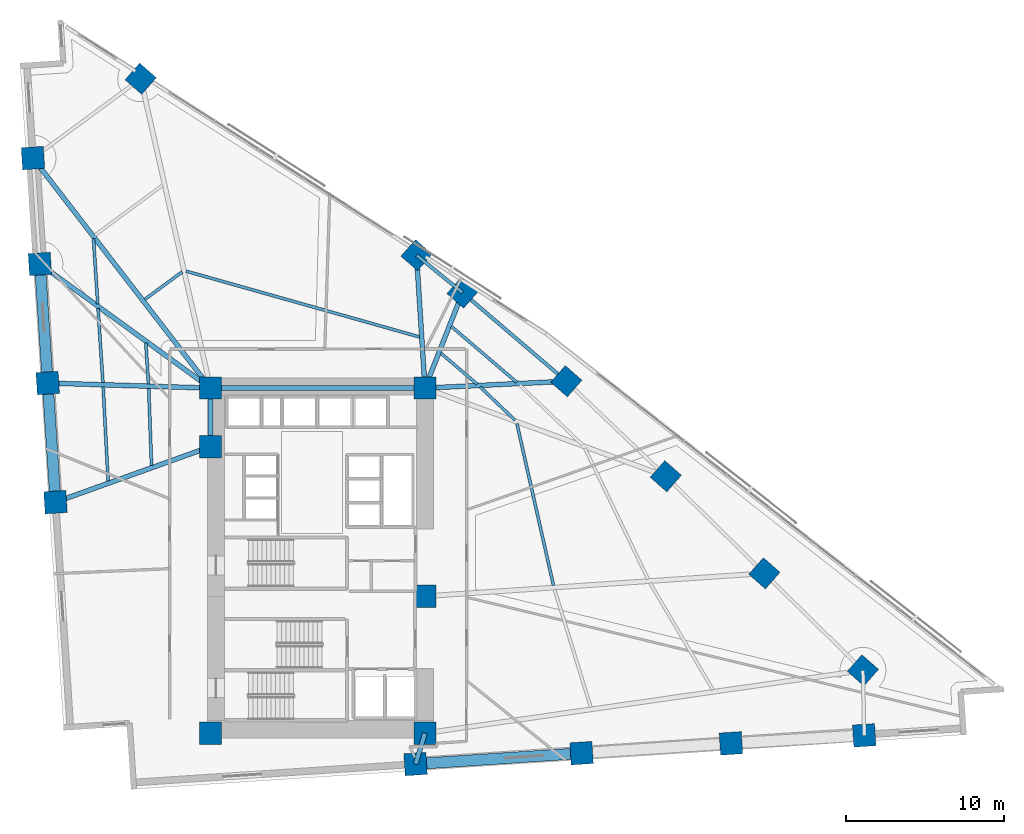
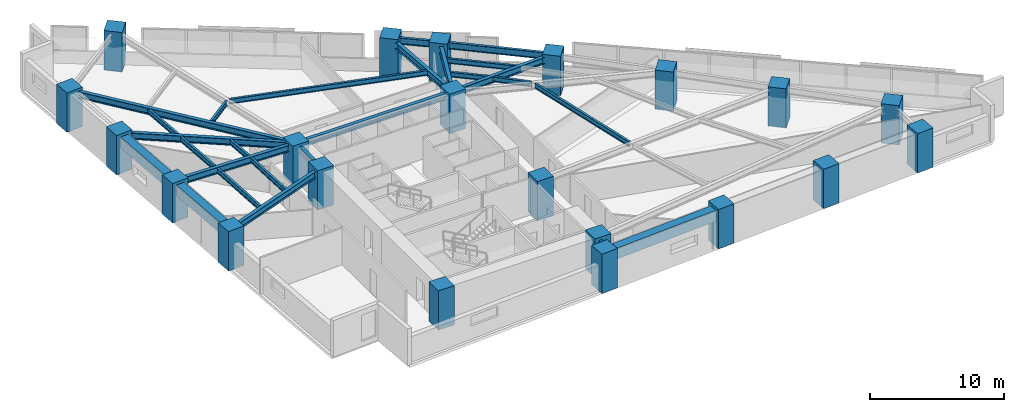
# One storey, part 1 of 16: 26 beams, 21 columns.
"""IFC4 building model written with IfcOpenShell, lengths in metres."""

from ifc_helpers import new_model, si_unit, direction, frame, origin, origin_2d, place, context, subcontext, project, spatial, rectangle, i_section, extrude, material, material_profile, profile_set, type_object, element, save


model = new_model("IFC4")

# Units and contexts
model_context = context("Model", 3, precision=1e-05, world=origin(), true_north=direction((0.0, 1.0)))
body_context = subcontext(model_context, "Body", "Model", "MODEL_VIEW")
ifc_project = project(units=[si_unit("LENGTHUNIT", "METRE"), si_unit("AREAUNIT", "SQUARE_METRE"), si_unit("VOLUMEUNIT", "CUBIC_METRE"), si_unit("PLANEANGLEUNIT", "RADIAN"), si_unit("MASSUNIT", "GRAM", prefix="KILO")], contexts=[model_context])

# Site, building, storey
site_placement = place(None, origin())
site = spatial("IfcSite", under=ifc_project, at=site_placement, CompositionType="ELEMENT")
building_placement = place(site_placement, origin())
building = spatial("IfcBuilding", under=site, at=building_placement, Name="Narakoshi Arena Tower", CompositionType="ELEMENT")
storey_placement = place(building_placement, frame((0.0, 0.0, 84.89990234375)))
storey = spatial("IfcBuildingStorey", under=building, at=storey_placement, Name="L22", CompositionType="ELEMENT", Elevation=84.89990234375)

# Columns
ifc_material_1 = material(Name="Concrete C60/75", Category="concrete")
ifc_material_profile_1 = material_profile(ifc_material_1, rectangle(XDim=1.39990234375, YDim=1.39990234375, at=origin_2d()), Name="RC1400x1400")
ifc_profile_set_1 = profile_set([ifc_material_profile_1], Name="Concrete C60/75")
column_type = type_object("IfcColumnType", Name="COL-RC1400", PredefinedType="COLUMN", material=ifc_profile_set_1)
for number, where, z_axis, x_axis, name in (
    (1, (72.0, 34.699951171875, 0.0), (0.0, 0.0, 1.0), (1.0, 0.0, 0.0), "L22 Core Structural Column CC1"),
    (2, (85.550048828125, 34.699951171875, 0.0), (0.0, 0.0, 1.0), (1.0, 0.0, 0.0), "L22 Core Structural Column CC2"),
    (3, (85.550048828125, 43.35009765625, 0.0), (0.0, 0.0, 1.0), (1.0, 0.0, 0.0), "L22 Core Structural Column CC3"),
    (4, (72.0, 52.800048828125, 0.0), (0.0, 0.0, 1.0), (1.0, 0.0, 0.0), "L22 Core Structural Column CC4"),
    (5, (72.0, 56.5, 0.0), (0.0, 0.0, 1.0), (1.0, 0.0, 0.0), "L22 Core Structural Column CC5"),
    (6, (85.550048828125, 56.5, 0.0), (0.0, 0.0, 1.0), (1.0, 0.0, 0.0), "L22 Core Structural Column CC6"),
    (7, (84.95703125, 32.7509765625, 0.0), (0.0, 0.0, 1.0), (0.997858923239, 0.06540312923, 0.0), "L22 Tower Perimeter Column TC01"),
    (8, (95.44189453125, 33.43798828125, 0.0), (0.0, 0.0, 1.0), (0.997858923239, 0.06540312923, 0.0), "L22 Tower Perimeter Column TC02"),
    (9, (104.8779296875, 34.056640625, 0.0), (0.0, 0.0, 1.0), (0.997858923239, 0.06540312923, 0.0), "L22 Tower Perimeter Column TC03"),
    (10, (113.299560546875, 34.5634765625, 0.0), (0.0, 0.0, 1.0), (0.997858923239, 0.06540312923, 0.0), "L22 Tower Perimeter Column TC04"),
    (11, (113.21630859375, 38.669189453125, 0.0), (0.0, 0.0, 1.0), (0.6593458151, 0.751839807479, 0.0), "L22 Tower Perimeter Column TC05"),
    (12, (106.989990234375, 44.800537109375, 0.0), (0.0, 0.0, 1.0), (0.6593458151, 0.751839807479, 0.0), "L22 Tower Perimeter Column TC06"),
    (13, (100.76318359375, 50.931640625, 0.0), (0.0, 0.0, 1.0), (0.6593458151, 0.751839807479, 0.0), "L22 Tower Perimeter Column TC07"),
    (14, (94.47900390625, 56.934814453125, 0.0), (0.0, 0.0, 1.0), (0.6593458151, 0.751839807479, 0.0), "L22 Tower Perimeter Column TC08"),
    (15, (87.922607421875, 62.534423828125, 0.0), (0.0, 0.0, 1.0), (0.6593458151, 0.751839807479, 0.0), "L22 Tower Perimeter Column TC09"),
    (16, (85.0146484375, 64.89794921875, 0.0), (0.0, 0.0, 1.0), (0.6593458151, 0.751839807479, 0.0), "L22 Tower Perimeter Column TC10"),
    (17, (67.58984375, 76.04345703125, 0.0), (0.0, 0.0, 1.0), (0.6593458151, 0.751839807479, 0.0), "L22 Tower Perimeter Column TC11"),
    (18, (60.785400390625, 71.031005859375, 0.0), (0.0, 0.0, 1.0), (-0.06540312923, 0.997858923239, 0.0), "L22 Tower Perimeter Column TC13"),
    (19, (61.223876953125, 64.343017578125, 0.0), (0.0, 0.0, 1.0), (-0.06540312923, 0.997858923239, 0.0), "L22 Tower Perimeter Column TC14"),
    (20, (61.716796875, 56.819091796875, 0.0), (0.0, 0.0, 1.0), (-0.06540312923, 0.997858923239, 0.0), "L22 Tower Perimeter Column TC15"),
    (21, (62.210205078125, 49.294921875, 0.0), (0.0, 0.0, 1.0), (-0.06540312923, 0.997858923239, 0.0), "L22 Tower Perimeter Column TC16"),
):
    element("IfcColumn", number, at=place(storey_placement, frame(where, z_axis=z_axis, x_axis=x_axis)), inside=storey, type_object=column_type, Name=name, PredefinedType="COLUMN", context=body_context, shape_type="SweptSolid", body=[
        extrude(rectangle(XDim=1.39990234375, YDim=1.39990234375, at=origin_2d()), origin(), (0.0, 0.0, 1.0), 3.60009765625),
    ])

# Beams
ifc_material_profile_2 = material_profile(ifc_material_1, rectangle(XDim=0.699951171875, YDim=1.0, at=origin_2d()), Name="RCB700x1000")
ifc_profile_set_2 = profile_set([ifc_material_profile_2], Name="Concrete C60/75")
beam_type_1 = type_object("IfcBeamType", Name="BM-CPL-1000", PredefinedType="BEAM", material=ifc_profile_set_2)
beam_1_placement = place(storey_placement, frame((84.95703125, 32.7509765625, 2.840087890625), z_axis=(0.997860180992, 0.065383936788, 0.0), x_axis=(-0.065383936788, 0.997860180992, 0.0)))
element("IfcBeam", 22, at=beam_1_placement, inside=storey, type_object=beam_type_1, Name="L22 Perimeter Edge Girder 01", PredefinedType="BEAM", context=body_context, shape_type="SweptSolid", body=[
    extrude(rectangle(XDim=0.699951171875, YDim=1.0, at=origin_2d()), origin(), (0.0, 0.0, 1.0), 10.50732421875),
])
beam_2_placement = place(storey_placement, frame((61.223876953125, 64.343017578125, 2.840087890625), z_axis=(0.065373518191, -0.997860863607, 0.0), x_axis=(0.997860863607, 0.065373518191, 0.0)))
element("IfcBeam", 23, at=beam_2_placement, inside=storey, type_object=beam_type_1, Name="L22 Perimeter Edge Girder 13", PredefinedType="BEAM", context=body_context, shape_type="SweptSolid", body=[
    extrude(rectangle(XDim=0.699951171875, YDim=1.0, at=origin_2d()), origin(), (0.0, 0.0, 1.0), 7.5400390625),
])
beam_3_placement = place(storey_placement, frame((61.716796875, 56.819091796875, 2.840087890625), z_axis=(0.06543588513, -0.997856775764, 0.0), x_axis=(0.997856775764, 0.06543588513, 0.0)))
element("IfcBeam", 24, at=beam_3_placement, inside=storey, type_object=beam_type_1, Name="L22 Perimeter Edge Girder 14", PredefinedType="BEAM", context=body_context, shape_type="SweptSolid", body=[
    extrude(rectangle(XDim=0.699951171875, YDim=1.0, at=origin_2d()), origin(), (0.0, 0.0, 1.0), 7.540283203125),
])
ifc_material_2 = material(Name="Structural steel S355J2", Category="steel")
ifc_material_profile_3 = material_profile(ifc_material_2, i_section(OverallWidth=0.219970703125, OverallDepth=0.60009765625, WebThickness=0.011962890625, FlangeThickness=0.01904296875, FilletRadius=0.02392578125, at=origin_2d()), Name="IPE600")
ifc_profile_set_3 = profile_set([ifc_material_profile_3], Name="Structural steel S355J2")
beam_type_2 = type_object("IfcBeamType", Name="BM-EDGE-600", PredefinedType="BEAM", material=ifc_profile_set_3)
beam_4_placement = place(storey_placement, frame((94.47900390625, 56.934814453125, 3.0400390625), z_axis=(-0.760410675305, 0.649442533934, 0.0), x_axis=(-0.649442533934, -0.760410675305, 0.0)))
element("IfcBeam", 25, at=beam_4_placement, inside=storey, type_object=beam_type_2, Name="L22 Perimeter Edge Girder 08", PredefinedType="BEAM", context=body_context, shape_type="SweptSolid", body=[
    extrude(i_section(OverallWidth=0.219970703125, OverallDepth=0.60009765625, WebThickness=0.011962890625, FlangeThickness=0.01904296875, FilletRadius=0.02392578125, at=origin_2d()), origin(), (0.0, 0.0, 1.0), 8.6220703125),
])
beam_5_placement = place(storey_placement, frame((87.922607421875, 62.534423828125, 3.0400390625), z_axis=(-0.776008368668, 0.630722610786, 0.0), x_axis=(-0.630722610786, -0.776008368668, 0.0)))
element("IfcBeam", 26, at=beam_5_placement, inside=storey, type_object=beam_type_2, Name="L22 Perimeter Edge Girder 09", PredefinedType="BEAM", context=body_context, shape_type="SweptSolid", body=[
    extrude(i_section(OverallWidth=0.219970703125, OverallDepth=0.60009765625, WebThickness=0.011962890625, FlangeThickness=0.01904296875, FilletRadius=0.02392578125, at=origin_2d()), origin(), (0.0, 0.0, 1.0), 3.747314453125),
])
ifc_material_profile_4 = material_profile(ifc_material_2, i_section(OverallWidth=0.300048828125, OverallDepth=0.60009765625, WebThickness=0.015380859375, FlangeThickness=0.030029296875, FilletRadius=0.027099609375, at=origin_2d()), Name="HE600B")
ifc_profile_set_4 = profile_set([ifc_material_profile_4], Name="Structural steel S355J2")
beam_type_3 = type_object("IfcBeamType", Name="BM-PRI-600", PredefinedType="BEAM", material=ifc_profile_set_4)
beam_6_placement = place(storey_placement, frame((85.550048828125, 34.699951171875, 3.0400390625), z_axis=(-0.291094852197, -0.956694197236, 0.0), x_axis=(0.956694197236, -0.291094852197, 0.0)))
element("IfcBeam", 27, at=beam_6_placement, inside=storey, type_object=beam_type_3, Name="L22 Radial Primary Floor Girder 01", PredefinedType="BEAM", context=body_context, shape_type="SweptSolid", body=[
    extrude(i_section(OverallWidth=0.300048828125, OverallDepth=0.60009765625, WebThickness=0.015380859375, FlangeThickness=0.030029296875, FilletRadius=0.027099609375, at=origin_2d()), origin(), (0.0, 0.0, 1.0), 2.037109375),
])
beam_7_placement = place(storey_placement, frame((85.550048828125, 56.5, 3.0400390625), z_axis=(0.998816399631, 0.048639488359, 0.0), x_axis=(-0.048639488359, 0.998816399631, 0.0)))
element("IfcBeam", 28, at=beam_7_placement, inside=storey, type_object=beam_type_3, Name="L22 Radial Primary Floor Girder 08", PredefinedType="BEAM", context=body_context, shape_type="SweptSolid", body=[
    extrude(i_section(OverallWidth=0.300048828125, OverallDepth=0.60009765625, WebThickness=0.015380859375, FlangeThickness=0.030029296875, FilletRadius=0.027099609375, at=origin_2d()), origin(), (0.0, 0.0, 1.0), 8.939453125),
])
beam_8_placement = place(storey_placement, frame((85.550048828125, 56.5, 3.0400390625), z_axis=(0.365905149474, 0.930652148543, 0.0), x_axis=(-0.930652148543, 0.365905149474, 0.0)))
element("IfcBeam", 29, at=beam_8_placement, inside=storey, type_object=beam_type_3, Name="L22 Radial Primary Floor Girder 09", PredefinedType="BEAM", context=body_context, shape_type="SweptSolid", body=[
    extrude(i_section(OverallWidth=0.300048828125, OverallDepth=0.60009765625, WebThickness=0.015380859375, FlangeThickness=0.030029296875, FilletRadius=0.027099609375, at=origin_2d()), origin(), (0.0, 0.0, 1.0), 6.484130859375),
])
beam_9_placement = place(storey_placement, frame((85.550048828125, 56.5, 3.0400390625), z_axis=(-0.063624535653, 0.997973906704, 0.0), x_axis=(-0.997973906704, -0.063624535653, 0.0)))
element("IfcBeam", 30, at=beam_9_placement, inside=storey, type_object=beam_type_3, Name="L22 Radial Primary Floor Girder 10", PredefinedType="BEAM", context=body_context, shape_type="SweptSolid", body=[
    extrude(i_section(OverallWidth=0.300048828125, OverallDepth=0.60009765625, WebThickness=0.015380859375, FlangeThickness=0.030029296875, FilletRadius=0.027099609375, at=origin_2d()), origin(), (0.0, 0.0, 1.0), 8.4150390625),
])
beam_10_placement = place(storey_placement, frame((72.0, 56.5, 3.0400390625), z_axis=(-0.610973069948, 0.791651380216, 0.0), x_axis=(-0.791651380216, -0.610973069948, 0.0)))
element("IfcBeam", 31, at=beam_10_placement, inside=storey, type_object=beam_type_3, Name="L22 Radial Primary Floor Girder 12", PredefinedType="BEAM", context=body_context, shape_type="SweptSolid", body=[
    extrude(i_section(OverallWidth=0.300048828125, OverallDepth=0.60009765625, WebThickness=0.015380859375, FlangeThickness=0.030029296875, FilletRadius=0.027099609375, at=origin_2d()), origin(), (0.0, 0.0, 1.0), 18.355224609375),
])
beam_11_placement = place(storey_placement, frame((72.0, 56.5, 3.0400390625), z_axis=(-0.808527706159, 0.588458110976, 0.0), x_axis=(-0.588458110976, -0.808527706159, 0.0)))
element("IfcBeam", 32, at=beam_11_placement, inside=storey, type_object=beam_type_3, Name="L22 Radial Primary Floor Girder 13", PredefinedType="BEAM", context=body_context, shape_type="SweptSolid", body=[
    extrude(i_section(OverallWidth=0.300048828125, OverallDepth=0.60009765625, WebThickness=0.015380859375, FlangeThickness=0.030029296875, FilletRadius=0.027099609375, at=origin_2d()), origin(), (0.0, 0.0, 1.0), 13.328125),
])
beam_12_placement = place(storey_placement, frame((72.0, 56.5, 3.0400390625), z_axis=(-0.99951890487, 0.031015460795, 0.0), x_axis=(-0.031015460795, -0.99951890487, 0.0)))
element("IfcBeam", 33, at=beam_12_placement, inside=storey, type_object=beam_type_3, Name="L22 Radial Primary Floor Girder 14", PredefinedType="BEAM", context=body_context, shape_type="SweptSolid", body=[
    extrude(i_section(OverallWidth=0.300048828125, OverallDepth=0.60009765625, WebThickness=0.015380859375, FlangeThickness=0.030029296875, FilletRadius=0.027099609375, at=origin_2d()), origin(), (0.0, 0.0, 1.0), 10.2880859375),
])
beam_13_placement = place(storey_placement, frame((72.0, 52.800048828125, 3.0400390625), z_axis=(-0.941474424124, -0.33708442373, 0.0), x_axis=(0.33708442373, -0.941474424124, 0.0)))
element("IfcBeam", 34, at=beam_13_placement, inside=storey, type_object=beam_type_3, Name="L22 Radial Primary Floor Girder 15", PredefinedType="BEAM", context=body_context, shape_type="SweptSolid", body=[
    extrude(i_section(OverallWidth=0.300048828125, OverallDepth=0.60009765625, WebThickness=0.015380859375, FlangeThickness=0.030029296875, FilletRadius=0.027099609375, at=origin_2d()), origin(), (0.0, 0.0, 1.0), 10.3984375),
])
beam_14_placement = place(storey_placement, frame((72.0, 52.800048828125, 3.0400390625), z_axis=(0.0, 1.0, 0.0), x_axis=(-1.0, 0.0, 0.0)))
element("IfcBeam", 35, at=beam_14_placement, inside=storey, type_object=beam_type_3, Name="L22 Core Perimeter Frame Beam CC4-CC5", PredefinedType="BEAM", context=body_context, shape_type="SweptSolid", body=[
    extrude(i_section(OverallWidth=0.300048828125, OverallDepth=0.60009765625, WebThickness=0.015380859375, FlangeThickness=0.030029296875, FilletRadius=0.027099609375, at=origin_2d()), origin(), (0.0, 0.0, 1.0), 3.699951171875),
])
beam_15_placement = place(storey_placement, frame((72.0, 56.5, 3.0400390625), z_axis=(1.0, 0.0, 0.0), x_axis=(0.0, 1.0, 0.0)))
element("IfcBeam", 36, at=beam_15_placement, inside=storey, type_object=beam_type_3, Name="L22 Core Perimeter Frame Beam CC5-CC6", PredefinedType="BEAM", context=body_context, shape_type="SweptSolid", body=[
    extrude(i_section(OverallWidth=0.300048828125, OverallDepth=0.60009765625, WebThickness=0.015380859375, FlangeThickness=0.030029296875, FilletRadius=0.027099609375, at=origin_2d()), origin(), (0.0, 0.0, 1.0), 13.550048828125),
])
ifc_material_profile_5 = material_profile(ifc_material_2, i_section(OverallWidth=0.18994140625, OverallDepth=0.449951171875, WebThickness=0.009521484375, FlangeThickness=0.0146484375, FilletRadius=0.02099609375, at=origin_2d()), Name="IPE450")
ifc_profile_set_5 = profile_set([ifc_material_profile_5], Name="Structural steel S355J2")
beam_type_4 = type_object("IfcBeamType", Name="BM-SEC-450", PredefinedType="JOIST", material=ifc_profile_set_5)
beam_16_placement = place(storey_placement, frame((93.66748046875, 44.032958984375, 3.114990234375), z_axis=(-0.220193637199, 0.975456181557, 0.0), x_axis=(-0.975456181557, -0.220193637199, 0.0)))
element("IfcBeam", 37, at=beam_16_placement, inside=storey, type_object=beam_type_4, Name="L22 Composite Secondary Floor Joist 03", PredefinedType="JOIST", context=body_context, shape_type="SweptSolid", body=[
    extrude(i_section(OverallWidth=0.18994140625, OverallDepth=0.449951171875, WebThickness=0.009521484375, FlangeThickness=0.0146484375, FilletRadius=0.02099609375, at=origin_2d()), origin(), (0.0, 0.0, 1.0), 10.4765625),
])
beam_17_placement = place(storey_placement, frame((91.2333984375, 54.477294921875, 3.114990234375), z_axis=(-0.723064858901, 0.690780145793, 0.0), x_axis=(-0.690780145793, -0.723064858901, 0.0)))
element("IfcBeam", 38, at=beam_17_placement, inside=storey, type_object=beam_type_4, Name="L22 Composite Secondary Floor Joist 05", PredefinedType="JOIST", context=body_context, shape_type="SweptSolid", body=[
    extrude(i_section(OverallWidth=0.18994140625, OverallDepth=0.449951171875, WebThickness=0.009521484375, FlangeThickness=0.0146484375, FilletRadius=0.02099609375, at=origin_2d()), origin(), (0.0, 0.0, 1.0), 3.032470703125),
])
beam_18_placement = place(storey_placement, frame((88.84033203125, 56.7529296875, 3.114990234375), z_axis=(-0.760430490225, 0.649419332586, 0.0), x_axis=(-0.649419332586, -0.760430490225, 0.0)))
element("IfcBeam", 39, at=beam_18_placement, inside=storey, type_object=beam_type_4, Name="L22 Composite Secondary Floor Joist 07", PredefinedType="JOIST", context=body_context, shape_type="SweptSolid", body=[
    extrude(i_section(OverallWidth=0.18994140625, OverallDepth=0.449951171875, WebThickness=0.009521484375, FlangeThickness=0.0146484375, FilletRadius=0.02099609375, at=origin_2d()), origin(), (0.0, 0.0, 1.0), 3.00634765625),
])
beam_19_placement = place(storey_placement, frame((91.340576171875, 56.87451171875, 3.114990234375), z_axis=(-0.760412600049, 0.649440280308, 0.0), x_axis=(-0.649440280308, -0.760412600049, 0.0)))
element("IfcBeam", 40, at=beam_19_placement, inside=storey, type_object=beam_type_4, Name="L22 Composite Secondary Floor Joist 08", PredefinedType="JOIST", context=body_context, shape_type="SweptSolid", body=[
    extrude(i_section(OverallWidth=0.18994140625, OverallDepth=0.449951171875, WebThickness=0.009521484375, FlangeThickness=0.0146484375, FilletRadius=0.02099609375, at=origin_2d()), origin(), (0.0, 0.0, 1.0), 5.4208984375),
])
beam_20_placement = place(storey_placement, frame((85.216796875, 59.727783203125, 3.114990234375), z_axis=(-0.962479100605, 0.271355819725, 0.0), x_axis=(-0.271355819725, -0.962479100605, 0.0)))
element("IfcBeam", 41, at=beam_20_placement, inside=storey, type_object=beam_type_4, Name="L22 Composite Secondary Floor Joist 09", PredefinedType="JOIST", context=body_context, shape_type="SweptSolid", body=[
    extrude(i_section(OverallWidth=0.18994140625, OverallDepth=0.449951171875, WebThickness=0.009521484375, FlangeThickness=0.0146484375, FilletRadius=0.02099609375, at=origin_2d()), origin(), (0.0, 0.0, 1.0), 15.338134765625),
])
beam_21_placement = place(storey_placement, frame((70.215576171875, 63.846435546875, 3.114990234375), z_axis=(-0.805139271894, -0.59308578878, 0.0), x_axis=(0.59308578878, -0.805139271894, 0.0)))
element("IfcBeam", 42, at=beam_21_placement, inside=storey, type_object=beam_type_4, Name="L22 Composite Secondary Floor Joist 10", PredefinedType="JOIST", context=body_context, shape_type="SweptSolid", body=[
    extrude(i_section(OverallWidth=0.18994140625, OverallDepth=0.449951171875, WebThickness=0.009521484375, FlangeThickness=0.0146484375, FilletRadius=0.02099609375, at=origin_2d()), origin(), (0.0, 0.0, 1.0), 2.941650390625),
])
beam_22_placement = place(storey_placement, frame((64.607177734375, 65.955810546875, 3.114990234375), z_axis=(0.065418851064, -0.997857892651, 0.0), x_axis=(0.997857892651, 0.065418851064, 0.0)))
element("IfcBeam", 43, at=beam_22_placement, inside=storey, type_object=beam_type_4, Name="L22 Composite Secondary Floor Joist 12", PredefinedType="JOIST", context=body_context, shape_type="SweptSolid", body=[
    extrude(i_section(OverallWidth=0.18994140625, OverallDepth=0.449951171875, WebThickness=0.009521484375, FlangeThickness=0.0146484375, FilletRadius=0.02099609375, at=origin_2d()), origin(), (0.0, 0.0, 1.0), 4.153564453125),
])
beam_23_placement = place(storey_placement, frame((67.913818359375, 59.345703125, 3.114990234375), z_axis=(0.06537642983, -0.997860672851, 0.0), x_axis=(0.997860672851, 0.06537642983, 0.0)))
element("IfcBeam", 44, at=beam_23_placement, inside=storey, type_object=beam_type_4, Name="L22 Composite Secondary Floor Joist 13", PredefinedType="JOIST", context=body_context, shape_type="SweptSolid", body=[
    extrude(i_section(OverallWidth=0.18994140625, OverallDepth=0.449951171875, WebThickness=0.009521484375, FlangeThickness=0.0146484375, FilletRadius=0.02099609375, at=origin_2d()), origin(), (0.0, 0.0, 1.0), 2.595458984375),
])
beam_24_placement = place(storey_placement, frame((64.896484375, 61.541748046875, 3.114990234375), z_axis=(0.065410381182, -0.997858447894, 0.0), x_axis=(0.997858447894, 0.065410381182, 0.0)))
element("IfcBeam", 45, at=beam_24_placement, inside=storey, type_object=beam_type_4, Name="L22 Composite Secondary Floor Joist 14", PredefinedType="JOIST", context=body_context, shape_type="SweptSolid", body=[
    extrude(i_section(OverallWidth=0.18994140625, OverallDepth=0.449951171875, WebThickness=0.009521484375, FlangeThickness=0.0146484375, FilletRadius=0.02099609375, at=origin_2d()), origin(), (0.0, 0.0, 1.0), 4.70654296875),
])
beam_25_placement = place(storey_placement, frame((68.097412109375, 56.486328125, 3.114990234375), z_axis=(0.036322381291, -0.999340124591, 0.0), x_axis=(0.999340124591, 0.036322381291, 0.0)))
element("IfcBeam", 46, at=beam_25_placement, inside=storey, type_object=beam_type_4, Name="L22 Composite Secondary Floor Joist 15", PredefinedType="JOIST", context=body_context, shape_type="SweptSolid", body=[
    extrude(i_section(OverallWidth=0.18994140625, OverallDepth=0.449951171875, WebThickness=0.009521484375, FlangeThickness=0.0146484375, FilletRadius=0.02099609375, at=origin_2d()), origin(), (0.0, 0.0, 1.0), 4.886474609375),
])
beam_26_placement = place(storey_placement, frame((65.22021484375, 56.57568359375, 3.114990234375), z_axis=(0.052208510838, -0.998636205731, 0.0), x_axis=(0.998636205731, 0.052208510838, 0.0)))
element("IfcBeam", 47, at=beam_26_placement, inside=storey, type_object=beam_type_4, Name="L22 Composite Secondary Floor Joist 16", PredefinedType="JOIST", context=body_context, shape_type="SweptSolid", body=[
    extrude(i_section(OverallWidth=0.18994140625, OverallDepth=0.449951171875, WebThickness=0.009521484375, FlangeThickness=0.0146484375, FilletRadius=0.02099609375, at=origin_2d()), origin(), (0.0, 0.0, 1.0), 5.962158203125),
])

save(model, "model.ifc")
